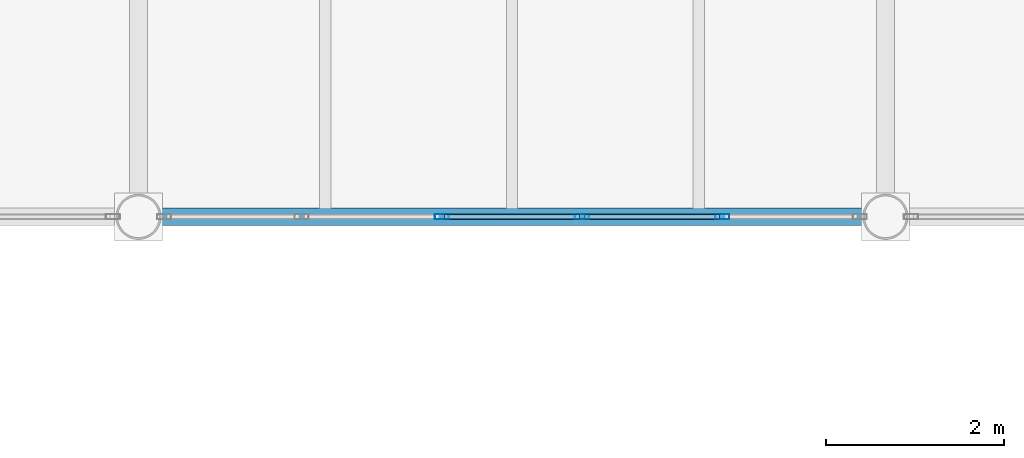
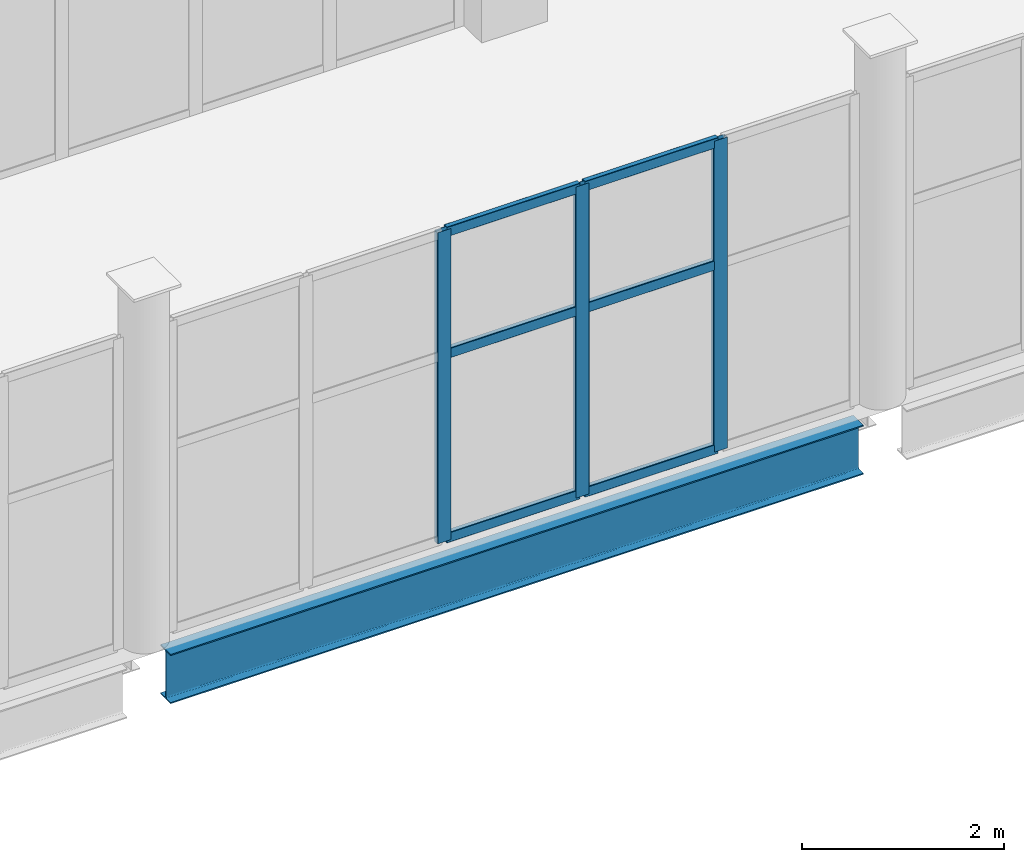
# One storey, part 59 of 136: 9 members, 1 beam, 1 element without a shape of its own.
"""IFC4 building model written with IfcOpenShell, lengths in metres."""

from ifc_helpers import new_model, si_unit, direction, frame, origin, origin_2d, place, context, subcontext, project, spatial, hollow_rectangle, i_section, extrude, material, material_profile, profile_set, type_object, element, aggregate, save


model = new_model("IFC4")

# Units and contexts
model_context = context("Model", 3, precision=1e-05, world=origin(), true_north=direction((0.0, 1.0)))
body_context = subcontext(model_context, "Body", "Model", "MODEL_VIEW")
ifc_project = project(units=[si_unit("LENGTHUNIT", "METRE"), si_unit("AREAUNIT", "SQUARE_METRE"), si_unit("VOLUMEUNIT", "CUBIC_METRE"), si_unit("PLANEANGLEUNIT", "RADIAN"), si_unit("MASSUNIT", "GRAM", prefix="KILO")], contexts=[model_context])

# Site, building, storey
site_placement = place(None, origin())
site = spatial("IfcSite", under=ifc_project, at=site_placement, CompositionType="ELEMENT")
building_placement = place(site_placement, origin())
building = spatial("IfcBuilding", under=site, at=building_placement, Name="Shengluoqiao Park Theatre", CompositionType="ELEMENT")
storey_placement = place(building_placement, frame((0.0, 0.0, 10.0)))
storey = spatial("IfcBuildingStorey", under=building, at=storey_placement, Name="L02", CompositionType="ELEMENT", Elevation=10.0)

# Curtain wall, members
ifc_material_1 = material(Name="Aluminium 6063-T6", Category="aluminium")
curtain_wall_type = type_object("IfcCurtainWallType", Name="ENV-CW-BRIDGE", PredefinedType="NOTDEFINED", material=ifc_material_1)
curtain_wall_placement = place(storey_placement, origin())
curtain_wall = element("IfcCurtainWall", 1, at=curtain_wall_placement, inside=storey, type_object=curtain_wall_type, Name="L02 Curtain Wall CWX-L02-0109", PredefinedType="NOTDEFINED")
ifc_material_profile_1 = material_profile(ifc_material_1, hollow_rectangle(XDim=0.06005859375, YDim=0.159912109375, WallThickness=0.00390625, InnerFilletRadius=0.00390625, OuterFilletRadius=0.008056640625, at=origin_2d()), Name="ALU MULLION 160x60x4")
ifc_profile_set_1 = profile_set([ifc_material_profile_1], Name="Aluminium 6063-T6")
member_type_1 = type_object("IfcMemberType", Name="ENV-MUL-160", PredefinedType="MULLION", material=ifc_profile_set_1)
member_1_placement = place(storey_placement, frame((107.41162109375, 68.39990234375, 0.0), z_axis=(0.0, 0.0, 1.0), x_axis=(0.0, 1.0, 0.0)))
member_1 = element("IfcMember", 2, at=member_1_placement, type_object=member_type_1, Name="CW-03 mullion 3", PredefinedType="MULLION", context=body_context, shape_type="SweptSolid", body=[
    extrude(hollow_rectangle(XDim=0.06005859375, YDim=0.159912109375, WallThickness=0.00390625, InnerFilletRadius=0.00390625, OuterFilletRadius=0.008056640625, at=origin_2d()), origin(), (0.0, 0.0, 1.0), 3.751953125),
])
member_2_placement = place(storey_placement, frame((108.98828125, 68.39990234375, 0.0), z_axis=(0.0, 0.0, 1.0), x_axis=(0.0, 1.0, 0.0)))
member_2 = element("IfcMember", 3, at=member_2_placement, type_object=member_type_1, Name="CW-03 mullion 4", PredefinedType="MULLION", context=body_context, shape_type="SweptSolid", body=[
    extrude(hollow_rectangle(XDim=0.06005859375, YDim=0.159912109375, WallThickness=0.00390625, InnerFilletRadius=0.00390625, OuterFilletRadius=0.008056640625, at=origin_2d()), origin(), (0.0, 0.0, 1.0), 3.751953125),
])
member_3_placement = place(storey_placement, frame((110.565185546875, 68.39990234375, 0.0), z_axis=(0.0, 0.0, 1.0), x_axis=(0.0, 1.0, 0.0)))
member_3 = element("IfcMember", 4, at=member_3_placement, type_object=member_type_1, Name="CW-03 mullion 5", PredefinedType="MULLION", context=body_context, shape_type="SweptSolid", body=[
    extrude(hollow_rectangle(XDim=0.06005859375, YDim=0.159912109375, WallThickness=0.00390625, InnerFilletRadius=0.00390625, OuterFilletRadius=0.008056640625, at=origin_2d()), origin(), (0.0, 0.0, 1.0), 3.751953125),
])
ifc_material_profile_2 = material_profile(ifc_material_1, hollow_rectangle(XDim=0.06005859375, YDim=0.1201171875, WallThickness=0.00390625, InnerFilletRadius=0.00390625, OuterFilletRadius=0.008056640625, at=origin_2d()), Name="ALU TRANSOM 120x60x4")
ifc_profile_set_2 = profile_set([ifc_material_profile_2], Name="Aluminium 6063-T6")
member_type_2 = type_object("IfcMemberType", Name="ENV-TRN-120", PredefinedType="USERDEFINED", material=ifc_profile_set_2)
member_4_placement = place(storey_placement, frame((107.441650390625, 68.39990234375, 0.030029296875), z_axis=(1.0, 0.0, 0.0), x_axis=(0.0, 1.0, 0.0)))
member_4 = element("IfcMember", 5, at=member_4_placement, type_object=member_type_2, Name="CW-03 transom 3.1", ObjectType="TRANSOM", PredefinedType="USERDEFINED", context=body_context, shape_type="SweptSolid", body=[
    extrude(hollow_rectangle(XDim=0.06005859375, YDim=0.1201171875, WallThickness=0.00390625, InnerFilletRadius=0.00390625, OuterFilletRadius=0.008056640625, at=origin_2d()), origin(), (0.0, 0.0, 1.0), 1.516845703125),
])
member_5_placement = place(storey_placement, frame((107.441650390625, 68.39990234375, 2.2509765625), z_axis=(1.0, 0.0, 0.0), x_axis=(0.0, 1.0, 0.0)))
member_5 = element("IfcMember", 6, at=member_5_placement, type_object=member_type_2, Name="CW-03 transom 3.2", ObjectType="TRANSOM", PredefinedType="USERDEFINED", context=body_context, shape_type="SweptSolid", body=[
    extrude(hollow_rectangle(XDim=0.06005859375, YDim=0.1201171875, WallThickness=0.00390625, InnerFilletRadius=0.00390625, OuterFilletRadius=0.008056640625, at=origin_2d()), origin(), (0.0, 0.0, 1.0), 1.516845703125),
])
member_6_placement = place(storey_placement, frame((107.441650390625, 68.39990234375, 3.721923828125), z_axis=(1.0, 0.0, 0.0), x_axis=(0.0, 1.0, 0.0)))
member_6 = element("IfcMember", 7, at=member_6_placement, type_object=member_type_2, Name="CW-03 transom 3.3", ObjectType="TRANSOM", PredefinedType="USERDEFINED", context=body_context, shape_type="SweptSolid", body=[
    extrude(hollow_rectangle(XDim=0.06005859375, YDim=0.1201171875, WallThickness=0.00390625, InnerFilletRadius=0.00390625, OuterFilletRadius=0.008056640625, at=origin_2d()), origin(), (0.0, 0.0, 1.0), 1.516845703125),
])
member_7_placement = place(storey_placement, frame((109.018310546875, 68.39990234375, 0.030029296875), z_axis=(1.0, 0.0, 0.0), x_axis=(0.0, 1.0, 0.0)))
member_7 = element("IfcMember", 8, at=member_7_placement, type_object=member_type_2, Name="CW-03 transom 4.1", ObjectType="TRANSOM", PredefinedType="USERDEFINED", context=body_context, shape_type="SweptSolid", body=[
    extrude(hollow_rectangle(XDim=0.06005859375, YDim=0.1201171875, WallThickness=0.00390625, InnerFilletRadius=0.00390625, OuterFilletRadius=0.008056640625, at=origin_2d()), origin(), (0.0, 0.0, 1.0), 1.516845703125),
])
member_8_placement = place(storey_placement, frame((109.018310546875, 68.39990234375, 2.2509765625), z_axis=(1.0, 0.0, 0.0), x_axis=(0.0, 1.0, 0.0)))
member_8 = element("IfcMember", 9, at=member_8_placement, type_object=member_type_2, Name="CW-03 transom 4.2", ObjectType="TRANSOM", PredefinedType="USERDEFINED", context=body_context, shape_type="SweptSolid", body=[
    extrude(hollow_rectangle(XDim=0.06005859375, YDim=0.1201171875, WallThickness=0.00390625, InnerFilletRadius=0.00390625, OuterFilletRadius=0.008056640625, at=origin_2d()), origin(), (0.0, 0.0, 1.0), 1.516845703125),
])
member_9_placement = place(storey_placement, frame((109.018310546875, 68.39990234375, 3.721923828125), z_axis=(1.0, 0.0, 0.0), x_axis=(0.0, 1.0, 0.0)))
member_9 = element("IfcMember", 10, at=member_9_placement, type_object=member_type_2, Name="CW-03 transom 4.3", ObjectType="TRANSOM", PredefinedType="USERDEFINED", context=body_context, shape_type="SweptSolid", body=[
    extrude(hollow_rectangle(XDim=0.06005859375, YDim=0.1201171875, WallThickness=0.00390625, InnerFilletRadius=0.00390625, OuterFilletRadius=0.008056640625, at=origin_2d()), origin(), (0.0, 0.0, 1.0), 1.516845703125),
])
aggregate(curtain_wall, [member_1, member_2, member_3, member_4, member_5, member_6, member_7, member_8, member_9])

# Beam
ifc_material_2 = material(Name="Steel Q355", Category="steel")
ifc_material_profile_3 = material_profile(ifc_material_2, i_section(OverallWidth=0.198974609375, OverallDepth=0.595947265625, WebThickness=0.010009765625, FlangeThickness=0.014892578125, FilletRadius=0.02001953125, at=origin_2d()), Name="HN 596x199x10x15")
ifc_profile_set_3 = profile_set([ifc_material_profile_3], Name="Steel Q355")
beam_type = type_object("IfcBeamType", Name="STR-BM-SP-HN596", PredefinedType="SPANDREL", material=ifc_profile_set_3)
beam_placement = place(storey_placement, frame((104.248046875, 68.39990234375, -0.508056640625), z_axis=(1.0, 0.0, 0.0), x_axis=(0.0, 1.0, 0.0)))
element("IfcBeam", 11, at=beam_placement, inside=storey, type_object=beam_type, Name="L02 Primary Girder 01007", PredefinedType="SPANDREL", context=body_context, shape_type="SweptSolid", body=[
    extrude(i_section(OverallWidth=0.198974609375, OverallDepth=0.595947265625, WebThickness=0.010009765625, FlangeThickness=0.014892578125, FilletRadius=0.02001953125, at=origin_2d()), origin(), (0.0, 0.0, 1.0), 7.904052734375),
])

save(model, "model.ifc")
